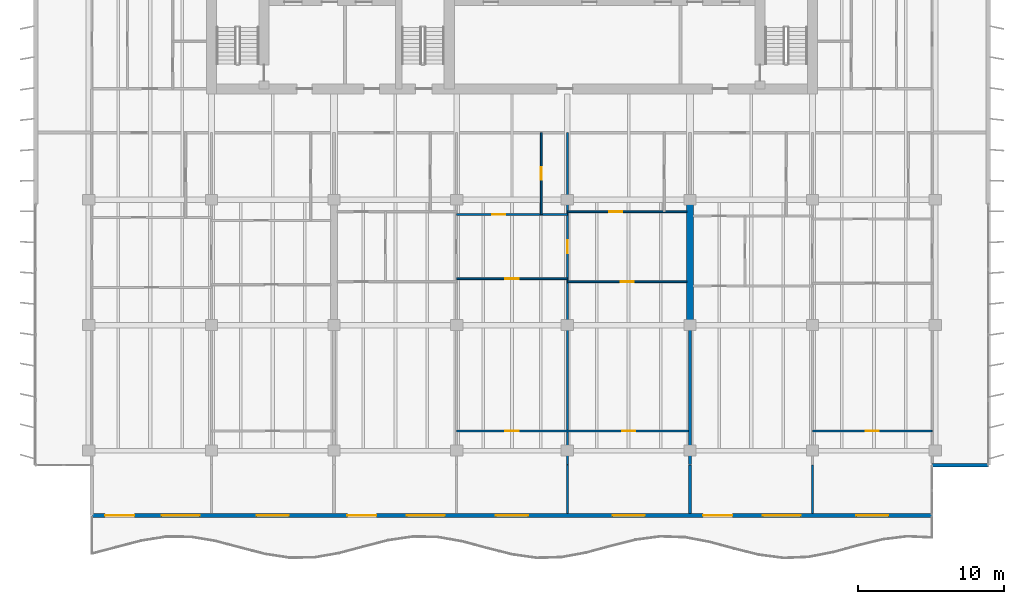
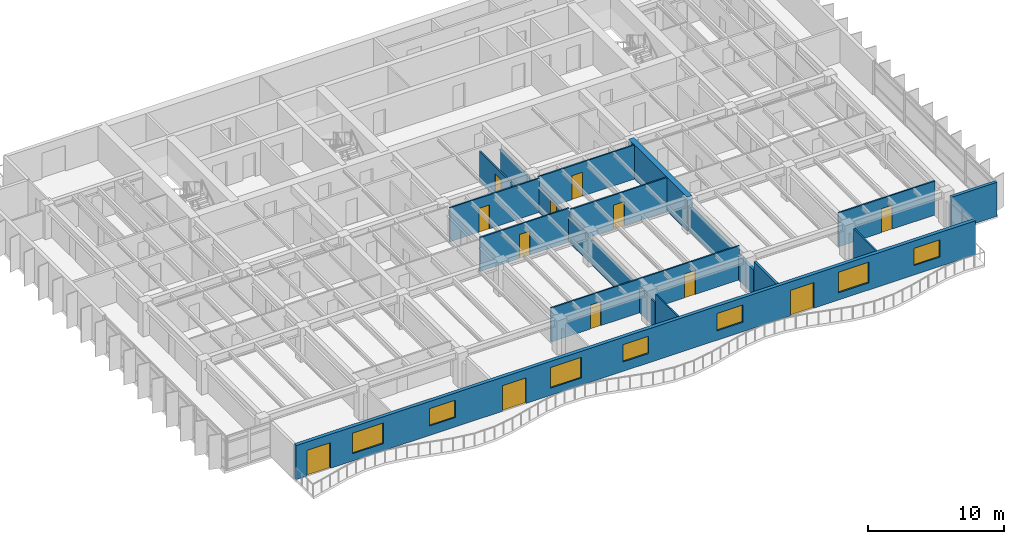
# One storey, part 9 of 17: 15 walls, 12 doors, 7 windows, 19 openings.
"""IFC4 building model written with IfcOpenShell, lengths in metres."""

from ifc_helpers import new_model, si_unit, direction, frame, frame_2d, origin, place, context, subcontext, project, spatial, rectangle, extrude, material, layer, layer_set, type_object, element, fill, save


model = new_model("IFC4")

# Units and contexts
model_context = context("Model", 3, precision=1e-05, world=origin(), true_north=direction((0.0, 1.0)))
body_context = subcontext(model_context, "Body", "Model", "MODEL_VIEW")
ifc_project = project(units=[si_unit("LENGTHUNIT", "METRE"), si_unit("AREAUNIT", "SQUARE_METRE"), si_unit("VOLUMEUNIT", "CUBIC_METRE"), si_unit("PLANEANGLEUNIT", "RADIAN"), si_unit("MASSUNIT", "GRAM", prefix="KILO")], contexts=[model_context])

# Site, building, storey
site_placement = place(None, origin())
site = spatial("IfcSite", under=ifc_project, at=site_placement, CompositionType="ELEMENT")
building_placement = place(site_placement, origin())
building = spatial("IfcBuilding", under=site, at=building_placement, Name="Caelmar Bay Residences", CompositionType="ELEMENT")
storey_placement = place(building_placement, frame((0.0, 0.0, 204.89990234375)))
storey = spatial("IfcBuildingStorey", under=building, at=storey_placement, Name="L57", CompositionType="ELEMENT", Elevation=204.89990234375)

# Walls
ifc_material_1 = material(Name="Concrete f'c 55 MPa (8,000 psi)", Category="concrete")
ifc_layer_1 = layer(ifc_material_1, 0.449951171875)
ifc_layer_set_1 = layer_set([ifc_layer_1], Name="Concrete f'c 55 MPa (8,000 psi)")
wall_type_1 = type_object("IfcWallType", Name="SW-XSLB-450", PredefinedType="SHEAR", material=ifc_layer_set_1)
wall_1_placement = place(storey_placement, frame((51.10009765625, 20.800048828125, 0.0), z_axis=(0.0, 0.0, 1.0), x_axis=(0.0, 1.0, 0.0)))
element("IfcWall", 1, at=wall_1_placement, inside=storey, type_object=wall_type_1, Name="L57 Transverse Cross-Slab Shear Wall E8", PredefinedType="SHEAR", context=body_context, shape_type="SweptSolid", body=[
    extrude(rectangle(XDim=8.599853515625, YDim=0.449951171875, at=frame_2d((4.2998046875, 0.0))), origin(), (0.0, 0.0, 1.0), 3.050048828125),
])
ifc_material_2 = material(Name="Precast concrete f'c 40 MPa (6,000 psi)", Category="concrete")
ifc_layer_2 = layer(ifc_material_2, 0.25)
ifc_layer_set_2 = layer_set([ifc_layer_2], Name="Precast concrete f'c 40 MPa (6,000 psi)")
wall_type_2 = type_object("IfcWallType", Name="W-EXT-250", PredefinedType="ELEMENTEDWALL", material=ifc_layer_set_2)
wall_2_placement = place(storey_placement, frame((67.699951171875, 11.199951171875, 0.0), z_axis=(0.0, 0.0, 1.0), x_axis=(1.0, 0.0, 0.0)))
element("IfcWall", 2, at=wall_2_placement, inside=storey, type_object=wall_type_2, Name="L57 SE Notch Return Wall", PredefinedType="ELEMENTEDWALL", context=body_context, shape_type="SweptSolid", body=[
    extrude(rectangle(XDim=3.85009765625, YDim=0.25, at=frame_2d((1.925048828125, 0.0))), origin(), (0.0, 0.0, 1.0), 3.050048828125),
])

# Wall, openings, doors, windows
ifc_layer_3 = layer(ifc_material_2, 0.300048828125)
ifc_layer_set_3 = layer_set([ifc_layer_3], Name="Precast concrete f'c 40 MPa (6,000 psi)")
wall_type_3 = type_object("IfcWallType", Name="W-EXT-300", PredefinedType="STANDARD", material=ifc_layer_set_3)
wall_3_placement = place(storey_placement, frame((67.699951171875, 7.75, 0.0), z_axis=(0.0, 0.0, 1.0), x_axis=(-1.0, 0.0, 0.0)))
wall_3 = element("IfcWall", 3, at=wall_3_placement, inside=storey, type_object=wall_type_3, Name="L57 South Bayfront Exterior Wall", PredefinedType="STANDARD", context=body_context, shape_type="SweptSolid", body=[
    extrude(rectangle(XDim=57.599853515625, YDim=0.300048828125, at=frame_2d((28.7998046875, 0.0))), origin(), (0.0, 0.0, 1.0), 3.050048828125),
])
opening_1_placement = place(wall_3_placement, frame((54.68994140625, 0.0, 0.0)))
opening_1 = element("IfcOpeningElement", 4, at=opening_1_placement, cuts=wall_3, Name="Opening L57-BD01", PredefinedType="OPENING", context=body_context, shape_type="SweptSolid", body=[
    extrude(rectangle(XDim=2.0, YDim=2.300048828125, at=frame_2d((1.0, 1.14990234375))), frame((0.0, 0.159912109375, 0.0), z_axis=(0.0, -1.0, 0.0), x_axis=(1.0, 0.0, 0.0)), (0.0, 0.0, 1.0), 0.320068359375),
])
opening_2_placement = place(wall_3_placement, frame((50.2099609375, 0.0, 0.64990234375)))
opening_2 = element("IfcOpeningElement", 5, at=opening_2_placement, cuts=wall_3, Name="Opening WN3", PredefinedType="OPENING", context=body_context, shape_type="SweptSolid", body=[
    extrude(rectangle(XDim=2.60009765625, YDim=1.85009765625, at=frame_2d((1.300048828125, 0.925048828125))), frame((0.0, 0.159912109375, 0.0), z_axis=(0.0, -1.0, 0.0), x_axis=(1.0, 0.0, 0.0)), (0.0, 0.0, 1.0), 0.320068359375),
])
opening_3_placement = place(wall_3_placement, frame((44.10009765625, 0.0, 0.85009765625)))
opening_3 = element("IfcOpeningElement", 6, at=opening_3_placement, cuts=wall_3, Name="Opening WN2", PredefinedType="OPENING", context=body_context, shape_type="SweptSolid", body=[
    extrude(rectangle(XDim=2.199951171875, YDim=1.550048828125, at=frame_2d((1.10009765625, 0.77490234375))), frame((0.0, 0.159912109375, 0.0), z_axis=(0.0, -1.0, 0.0), x_axis=(1.0, 0.0, 0.0)), (0.0, 0.0, 1.0), 0.320068359375),
])
opening_4_placement = place(wall_3_placement, frame((38.090087890625, 0.0, 0.0)))
opening_4 = element("IfcOpeningElement", 7, at=opening_4_placement, cuts=wall_3, Name="Opening L57-BD02", PredefinedType="OPENING", context=body_context, shape_type="SweptSolid", body=[
    extrude(rectangle(XDim=2.0, YDim=2.300048828125, at=frame_2d((1.0, 1.14990234375))), frame((0.0, 0.159912109375, 0.0), z_axis=(0.0, -1.0, 0.0), x_axis=(1.0, 0.0, 0.0)), (0.0, 0.0, 1.0), 0.320068359375),
])
opening_5_placement = place(wall_3_placement, frame((33.409912109375, 0.0, 0.64990234375)))
opening_5 = element("IfcOpeningElement", 8, at=opening_5_placement, cuts=wall_3, Name="Opening WN3", PredefinedType="OPENING", context=body_context, shape_type="SweptSolid", body=[
    extrude(rectangle(XDim=2.60009765625, YDim=1.85009765625, at=frame_2d((1.300048828125, 0.925048828125))), frame((0.0, 0.159912109375, 0.0), z_axis=(0.0, -1.0, 0.0), x_axis=(1.0, 0.0, 0.0)), (0.0, 0.0, 1.0), 0.320068359375),
])
opening_6_placement = place(wall_3_placement, frame((27.699951171875, 0.0, 0.85009765625)))
opening_6 = element("IfcOpeningElement", 9, at=opening_6_placement, cuts=wall_3, Name="Opening WN2", PredefinedType="OPENING", context=body_context, shape_type="SweptSolid", body=[
    extrude(rectangle(XDim=2.199951171875, YDim=1.550048828125, at=frame_2d((1.10009765625, 0.77490234375))), frame((0.0, 0.159912109375, 0.0), z_axis=(0.0, -1.0, 0.0), x_axis=(1.0, 0.0, 0.0)), (0.0, 0.0, 1.0), 0.320068359375),
])
opening_7_placement = place(wall_3_placement, frame((19.699951171875, 0.0, 0.85009765625)))
opening_7 = element("IfcOpeningElement", 10, at=opening_7_placement, cuts=wall_3, Name="Opening WN2", PredefinedType="OPENING", context=body_context, shape_type="SweptSolid", body=[
    extrude(rectangle(XDim=2.199951171875, YDim=1.550048828125, at=frame_2d((1.10009765625, 0.77490234375))), frame((0.0, 0.159912109375, 0.0), z_axis=(0.0, -1.0, 0.0), x_axis=(1.0, 0.0, 0.0)), (0.0, 0.0, 1.0), 0.320068359375),
])
opening_8_placement = place(wall_3_placement, frame((13.68994140625, 0.0, 0.0)))
opening_8 = element("IfcOpeningElement", 11, at=opening_8_placement, cuts=wall_3, Name="Opening L57-BD03", PredefinedType="OPENING", context=body_context, shape_type="SweptSolid", body=[
    extrude(rectangle(XDim=2.0, YDim=2.300048828125, at=frame_2d((1.0, 1.14990234375))), frame((0.0, 0.159912109375, 0.0), z_axis=(0.0, -1.0, 0.0), x_axis=(1.0, 0.0, 0.0)), (0.0, 0.0, 1.0), 0.320068359375),
])
opening_9_placement = place(wall_3_placement, frame((9.010009765625, 0.0, 0.64990234375)))
opening_9 = element("IfcOpeningElement", 12, at=opening_9_placement, cuts=wall_3, Name="Opening WN3", PredefinedType="OPENING", context=body_context, shape_type="SweptSolid", body=[
    extrude(rectangle(XDim=2.60009765625, YDim=1.85009765625, at=frame_2d((1.300048828125, 0.925048828125))), frame((0.0, 0.159912109375, 0.0), z_axis=(0.0, -1.0, 0.0), x_axis=(1.0, 0.0, 0.0)), (0.0, 0.0, 1.0), 0.320068359375),
])
opening_10_placement = place(wall_3_placement, frame((3.0, 0.0, 0.85009765625)))
opening_10 = element("IfcOpeningElement", 13, at=opening_10_placement, cuts=wall_3, Name="Opening WN2", PredefinedType="OPENING", context=body_context, shape_type="SweptSolid", body=[
    extrude(rectangle(XDim=2.199951171875, YDim=1.550048828125, at=frame_2d((1.10009765625, 0.77490234375))), frame((0.0, 0.159912109375, 0.0), z_axis=(0.0, -1.0, 0.0), x_axis=(1.0, 0.0, 0.0)), (0.0, 0.0, 1.0), 0.320068359375),
])
ifc_material_3 = material(Name="Anodised bronze thermally broken sliding glass door", Category="glass")
ifc_layer_4 = layer(ifc_material_3, 0.050048828125)
ifc_layer_set_4 = layer_set([ifc_layer_4], Name="Anodised bronze thermally broken sliding glass door")
door_type_1 = type_object("IfcDoorType", Name="D-BAL-2000", OperationType="DOUBLE_DOOR_SLIDING", PredefinedType="DOOR", material=ifc_layer_set_4)
door_1_placement = place(opening_1_placement, origin())
door_1 = element("IfcDoor", 14, at=door_1_placement, inside=storey, type_object=door_type_1, Name="L57 Residence 01 Penthouse Living Salon Balcony Door", OperationType="DOUBLE_DOOR_SLIDING", OverallHeight=2.300048828125, OverallWidth=2.0, PredefinedType="DOOR", context=body_context, shape_type="SweptSolid", body=[
    extrude(rectangle(XDim=2.0, YDim=2.300048828125, at=frame_2d((1.0, 1.14990234375))), frame((0.0, 0.02490234375, 0.0), z_axis=(0.0, -1.0, 0.0), x_axis=(1.0, 0.0, 0.0)), (0.0, 0.0, 1.0), 0.050048828125),
])
fill(opening_1, door_1)
door_2_placement = place(opening_4_placement, origin())
door_2 = element("IfcDoor", 15, at=door_2_placement, inside=storey, type_object=door_type_1, Name="L57 Residence 02 Penthouse Living Salon Balcony Door", OperationType="DOUBLE_DOOR_SLIDING", OverallHeight=2.300048828125, OverallWidth=2.0, PredefinedType="DOOR", context=body_context, shape_type="SweptSolid", body=[
    extrude(rectangle(XDim=2.0, YDim=2.300048828125, at=frame_2d((1.0, 1.14990234375))), frame((0.0, 0.02490234375, 0.0), z_axis=(0.0, -1.0, 0.0), x_axis=(1.0, 0.0, 0.0)), (0.0, 0.0, 1.0), 0.050048828125),
])
fill(opening_4, door_2)
door_3_placement = place(opening_8_placement, origin())
door_3 = element("IfcDoor", 16, at=door_3_placement, inside=storey, type_object=door_type_1, Name="L57 Residence 03 Penthouse Living Salon Balcony Door", OperationType="DOUBLE_DOOR_SLIDING", OverallHeight=2.300048828125, OverallWidth=2.0, PredefinedType="DOOR", context=body_context, shape_type="SweptSolid", body=[
    extrude(rectangle(XDim=2.0, YDim=2.300048828125, at=frame_2d((1.0, 1.14990234375))), frame((0.0, 0.02490234375, 0.0), z_axis=(0.0, -1.0, 0.0), x_axis=(1.0, 0.0, 0.0)), (0.0, 0.0, 1.0), 0.050048828125),
])
fill(opening_8, door_3)
ifc_material_4 = material(Name="Bronze aluminium frame with laminated low-E glass", Category="aluminium")
ifc_layer_5 = layer(ifc_material_4, 0.06005859375)
ifc_layer_set_5 = layer_set([ifc_layer_5], Name="Bronze aluminium frame with laminated low-E glass")
window_type_1 = type_object("IfcWindowType", Name="WIN-BR-2200", PartitioningType="SINGLE_PANEL", PredefinedType="WINDOW", material=ifc_layer_set_5)
window_1_placement = place(opening_3_placement, origin())
window_1 = element("IfcWindow", 17, at=window_1_placement, inside=storey, type_object=window_type_1, Name="L57 Residence 01 Primary Bedroom 1 Window", OverallHeight=1.550048828125, OverallWidth=2.199951171875, PartitioningType="SINGLE_PANEL", PredefinedType="WINDOW", context=body_context, shape_type="SweptSolid", body=[
    extrude(rectangle(XDim=2.199951171875, YDim=1.550048828125, at=frame_2d((1.10009765625, 0.77490234375))), frame((0.0, 0.030029296875, 0.0), z_axis=(0.0, -1.0, 0.0), x_axis=(1.0, 0.0, 0.0)), (0.0, 0.0, 1.0), 0.06005859375),
])
fill(opening_3, window_1)
window_2_placement = place(opening_6_placement, origin())
window_2 = element("IfcWindow", 18, at=window_2_placement, inside=storey, type_object=window_type_1, Name="L57 Residence 02 Primary Bedroom 1 Window", OverallHeight=1.550048828125, OverallWidth=2.199951171875, PartitioningType="SINGLE_PANEL", PredefinedType="WINDOW", context=body_context, shape_type="SweptSolid", body=[
    extrude(rectangle(XDim=2.199951171875, YDim=1.550048828125, at=frame_2d((1.10009765625, 0.77490234375))), frame((0.0, 0.030029296875, 0.0), z_axis=(0.0, -1.0, 0.0), x_axis=(1.0, 0.0, 0.0)), (0.0, 0.0, 1.0), 0.06005859375),
])
fill(opening_6, window_2)
window_3_placement = place(opening_7_placement, origin())
window_3 = element("IfcWindow", 19, at=window_3_placement, inside=storey, type_object=window_type_1, Name="L57 Residence 02 Primary Bedroom 2 Window", OverallHeight=1.550048828125, OverallWidth=2.199951171875, PartitioningType="SINGLE_PANEL", PredefinedType="WINDOW", context=body_context, shape_type="SweptSolid", body=[
    extrude(rectangle(XDim=2.199951171875, YDim=1.550048828125, at=frame_2d((1.10009765625, 0.77490234375))), frame((0.0, 0.030029296875, 0.0), z_axis=(0.0, -1.0, 0.0), x_axis=(1.0, 0.0, 0.0)), (0.0, 0.0, 1.0), 0.06005859375),
])
fill(opening_7, window_3)
window_4_placement = place(opening_10_placement, origin())
window_4 = element("IfcWindow", 20, at=window_4_placement, inside=storey, type_object=window_type_1, Name="L57 Residence 03 Primary Bedroom 1 Window", OverallHeight=1.550048828125, OverallWidth=2.199951171875, PartitioningType="SINGLE_PANEL", PredefinedType="WINDOW", context=body_context, shape_type="SweptSolid", body=[
    extrude(rectangle(XDim=2.199951171875, YDim=1.550048828125, at=frame_2d((1.10009765625, 0.77490234375))), frame((0.0, 0.030029296875, 0.0), z_axis=(0.0, -1.0, 0.0), x_axis=(1.0, 0.0, 0.0)), (0.0, 0.0, 1.0), 0.06005859375),
])
fill(opening_10, window_4)
ifc_layer_6 = layer(ifc_material_4, 0.06005859375)
ifc_layer_set_6 = layer_set([ifc_layer_6], Name="Bronze aluminium frame with laminated low-E glass")
window_type_2 = type_object("IfcWindowType", Name="WIN-LIV-2600", PartitioningType="SINGLE_PANEL", PredefinedType="WINDOW", material=ifc_layer_set_6)
window_5_placement = place(opening_2_placement, origin())
window_5 = element("IfcWindow", 21, at=window_5_placement, inside=storey, type_object=window_type_2, Name="L57 Residence 01 Penthouse Living Salon Panoramic Window", OverallHeight=1.85009765625, OverallWidth=2.60009765625, PartitioningType="SINGLE_PANEL", PredefinedType="WINDOW", context=body_context, shape_type="SweptSolid", body=[
    extrude(rectangle(XDim=2.60009765625, YDim=1.85009765625, at=frame_2d((1.300048828125, 0.925048828125))), frame((0.0, 0.030029296875, 0.0), z_axis=(0.0, -1.0, 0.0), x_axis=(1.0, 0.0, 0.0)), (0.0, 0.0, 1.0), 0.06005859375),
])
fill(opening_2, window_5)
window_6_placement = place(opening_5_placement, origin())
window_6 = element("IfcWindow", 22, at=window_6_placement, inside=storey, type_object=window_type_2, Name="L57 Residence 02 Penthouse Living Salon Panoramic Window", OverallHeight=1.85009765625, OverallWidth=2.60009765625, PartitioningType="SINGLE_PANEL", PredefinedType="WINDOW", context=body_context, shape_type="SweptSolid", body=[
    extrude(rectangle(XDim=2.60009765625, YDim=1.85009765625, at=frame_2d((1.300048828125, 0.925048828125))), frame((0.0, 0.030029296875, 0.0), z_axis=(0.0, -1.0, 0.0), x_axis=(1.0, 0.0, 0.0)), (0.0, 0.0, 1.0), 0.06005859375),
])
fill(opening_5, window_6)
window_7_placement = place(opening_9_placement, origin())
window_7 = element("IfcWindow", 23, at=window_7_placement, inside=storey, type_object=window_type_2, Name="L57 Residence 03 Penthouse Living Salon Panoramic Window", OverallHeight=1.85009765625, OverallWidth=2.60009765625, PartitioningType="SINGLE_PANEL", PredefinedType="WINDOW", context=body_context, shape_type="SweptSolid", body=[
    extrude(rectangle(XDim=2.60009765625, YDim=1.85009765625, at=frame_2d((1.300048828125, 0.925048828125))), frame((0.0, 0.030029296875, 0.0), z_axis=(0.0, -1.0, 0.0), x_axis=(1.0, 0.0, 0.0)), (0.0, 0.0, 1.0), 0.06005859375),
])
fill(opening_9, window_7)

# Wall, opening, door
ifc_material_5 = material(Name="Acoustic metal-stud gypsum partition 120 mm")
ifc_layer_7 = layer(ifc_material_5, 0.1201171875)
ifc_layer_set_7 = layer_set([ifc_layer_7], Name="Acoustic metal-stud gypsum partition 120 mm")
wall_type_4 = type_object("IfcWallType", Name="W-PRT-120", PredefinedType="PARTITIONING", material=ifc_layer_set_7)
wall_4_placement = place(storey_placement, frame((40.903076171875, 28.3798828125, 0.0), z_axis=(0.0, 0.0, 1.0), x_axis=(0.0, 1.0, 0.0)))
wall_4 = element("IfcWall", 24, at=wall_4_placement, inside=storey, type_object=wall_type_4, Name="L57 Partition Wall V024", PredefinedType="PARTITIONING", context=body_context, shape_type="SweptSolid", body=[
    extrude(rectangle(XDim=5.6201171875, YDim=0.1201171875, at=frame_2d((2.81005859375, 0.0))), origin(), (0.0, 0.0, 1.0), 2.72509765625),
])
opening_11_placement = place(wall_4_placement, frame((2.385009765625, 0.0, 0.0)))
opening_11 = element("IfcOpeningElement", 25, at=opening_11_placement, cuts=wall_4, Name="Opening D-L57-138", PredefinedType="OPENING", context=body_context, shape_type="SweptSolid", body=[
    extrude(rectangle(XDim=0.85009765625, YDim=2.10009765625, at=frame_2d((0.425048828125, 1.050048828125))), frame((0.0, 0.070068359375, 0.0), z_axis=(0.0, -1.0, 0.0), x_axis=(1.0, 0.0, 0.0)), (0.0, 0.0, 1.0), 0.14013671875),
])
ifc_material_6 = material(Name="Solid walnut timber interior door leaf and frame", Category="wood")
ifc_layer_8 = layer(ifc_material_6, 0.050048828125)
ifc_layer_set_8 = layer_set([ifc_layer_8], Name="Solid walnut timber interior door leaf and frame")
door_type_2 = type_object("IfcDoorType", Name="D-BATH-850", OperationType="NOTDEFINED", PredefinedType="DOOR", material=ifc_layer_set_8)
door_4_placement = place(opening_11_placement, origin())
door_4 = element("IfcDoor", 26, at=door_4_placement, inside=storey, type_object=door_type_2, Name="L57 Residence 02 En-Suite Bathroom 1 Door", OperationType="SINGLE_SWING_RIGHT", OverallHeight=2.10009765625, OverallWidth=0.85009765625, PredefinedType="DOOR", context=body_context, shape_type="SweptSolid", body=[
    extrude(rectangle(XDim=0.85009765625, YDim=2.10009765625, at=frame_2d((0.425048828125, 1.050048828125))), frame((0.0, 0.02490234375, 0.0), z_axis=(0.0, -1.0, 0.0), x_axis=(1.0, 0.0, 0.0)), (0.0, 0.0, 1.0), 0.050048828125),
])
fill(opening_11, door_4)

# Wall
wall_5_placement = place(storey_placement, frame((42.699951171875, 7.89501953125, 0.0), z_axis=(0.0, 0.0, 1.0), x_axis=(0.0, 1.0, 0.0)))
element("IfcWall", 27, at=wall_5_placement, inside=storey, type_object=wall_type_4, Name="L57 Partition Wall V026", PredefinedType="PARTITIONING", context=body_context, shape_type="SweptSolid", body=[
    extrude(rectangle(XDim=3.304931640625, YDim=0.1201171875, at=frame_2d((1.65234375, 0.0))), origin(), (0.0, 0.0, 1.0), 3.050048828125),
])

# Wall, opening, door
wall_6_placement = place(storey_placement, frame((42.699951171875, 11.239990234375, 0.0), z_axis=(0.0, 0.0, 1.0), x_axis=(0.0, 1.0, 0.0)))
wall_6 = element("IfcWall", 28, at=wall_6_placement, inside=storey, type_object=wall_type_4, Name="L57 Partition Wall V027", PredefinedType="PARTITIONING", context=body_context, shape_type="SweptSolid", body=[
    extrude(rectangle(XDim=22.760009765625, YDim=0.1201171875, at=frame_2d((11.3798828125, 0.0))), origin(), (0.0, 0.0, 1.0), 2.26318359375),
])
opening_12_placement = place(wall_6_placement, frame((14.489990234375, 0.0, 0.0)))
opening_12 = element("IfcOpeningElement", 29, at=opening_12_placement, cuts=wall_6, Name="Opening D-L57-141", PredefinedType="OPENING", context=body_context, shape_type="SweptSolid", body=[
    extrude(rectangle(XDim=0.89990234375, YDim=2.14990234375, at=frame_2d((0.449951171875, 1.074951171875))), frame((0.0, 0.070068359375, 0.0), z_axis=(0.0, -1.0, 0.0), x_axis=(1.0, 0.0, 0.0)), (0.0, 0.0, 1.0), 0.14013671875),
])
ifc_layer_9 = layer(ifc_material_6, 0.050048828125)
ifc_layer_set_9 = layer_set([ifc_layer_9], Name="Solid walnut timber interior door leaf and frame")
door_type_3 = type_object("IfcDoorType", Name="D-ROOM-900", OperationType="NOTDEFINED", PredefinedType="DOOR", material=ifc_layer_set_9)
door_5_placement = place(opening_12_placement, origin())
door_5 = element("IfcDoor", 30, at=door_5_placement, inside=storey, type_object=door_type_3, Name="L57 Residence 02 Reception Lounge 2 Door", OperationType="SINGLE_SWING_LEFT", OverallHeight=2.14990234375, OverallWidth=0.89990234375, PredefinedType="DOOR", context=body_context, shape_type="SweptSolid", body=[
    extrude(rectangle(XDim=0.89990234375, YDim=2.14990234375, at=frame_2d((0.449951171875, 1.074951171875))), frame((0.0, 0.02490234375, 0.0), z_axis=(0.0, -1.0, 0.0), x_axis=(1.0, 0.0, 0.0)), (0.0, 0.0, 1.0), 0.050048828125),
])
fill(opening_12, door_5)

# Wall
wall_7_placement = place(storey_placement, frame((59.5, 7.89501953125, 0.0), z_axis=(0.0, 0.0, 1.0), x_axis=(0.0, 1.0, 0.0)))
element("IfcWall", 31, at=wall_7_placement, inside=storey, type_object=wall_type_4, Name="L57 Partition Wall V041", PredefinedType="PARTITIONING", context=body_context, shape_type="SweptSolid", body=[
    extrude(rectangle(XDim=3.304931640625, YDim=0.1201171875, at=frame_2d((1.65234375, 0.0))), origin(), (0.0, 0.0, 1.0), 3.050048828125),
])

# Wall, openings, doors
wall_8_placement = place(storey_placement, frame((35.10009765625, 13.550048828125, 0.0), z_axis=(0.0, 0.0, 1.0), x_axis=(1.0, 0.0, 0.0)))
wall_8 = element("IfcWall", 32, at=wall_8_placement, inside=storey, type_object=wall_type_4, Name="L57 Partition Wall H051", PredefinedType="PARTITIONING", context=body_context, shape_type="SweptSolid", body=[
    extrude(rectangle(XDim=16.0, YDim=0.1201171875, at=frame_2d((8.0, 0.0))), origin(), (0.0, 0.0, 1.0), 3.050048828125),
])
opening_13_placement = place(wall_8_placement, frame((3.35009765625, 0.0, 0.0)))
opening_13 = element("IfcOpeningElement", 33, at=opening_13_placement, cuts=wall_8, Name="Opening D-L57-140", PredefinedType="OPENING", context=body_context, shape_type="SweptSolid", body=[
    extrude(rectangle(XDim=0.89990234375, YDim=2.14990234375, at=frame_2d((0.449951171875, 1.074951171875))), frame((0.0, 0.070068359375, 0.0), z_axis=(0.0, -1.0, 0.0), x_axis=(1.0, 0.0, 0.0)), (0.0, 0.0, 1.0), 0.14013671875),
])
opening_14_placement = place(wall_8_placement, frame((11.35009765625, 0.0, 0.0)))
opening_14 = element("IfcOpeningElement", 34, at=opening_14_placement, cuts=wall_8, Name="Opening D-L57-145", PredefinedType="OPENING", context=body_context, shape_type="SweptSolid", body=[
    extrude(rectangle(XDim=0.89990234375, YDim=2.14990234375, at=frame_2d((0.449951171875, 1.074951171875))), frame((0.0, 0.070068359375, 0.0), z_axis=(0.0, -1.0, 0.0), x_axis=(1.0, 0.0, 0.0)), (0.0, 0.0, 1.0), 0.14013671875),
])
door_6_placement = place(opening_13_placement, origin())
door_6 = element("IfcDoor", 35, at=door_6_placement, inside=storey, type_object=door_type_3, Name="L57 Residence 02 Primary Bedroom 1 Door", OperationType="SINGLE_SWING_RIGHT", OverallHeight=2.14990234375, OverallWidth=0.89990234375, PredefinedType="DOOR", context=body_context, shape_type="SweptSolid", body=[
    extrude(rectangle(XDim=0.89990234375, YDim=2.14990234375, at=frame_2d((0.449951171875, 1.074951171875))), frame((0.0, 0.02490234375, 0.0), z_axis=(0.0, -1.0, 0.0), x_axis=(1.0, 0.0, 0.0)), (0.0, 0.0, 1.0), 0.050048828125),
])
fill(opening_13, door_6)
door_7_placement = place(opening_14_placement, origin())
door_7 = element("IfcDoor", 36, at=door_7_placement, inside=storey, type_object=door_type_3, Name="L57 Residence 02 Primary Bedroom 2 Door", OperationType="SINGLE_SWING_LEFT", OverallHeight=2.14990234375, OverallWidth=0.89990234375, PredefinedType="DOOR", context=body_context, shape_type="SweptSolid", body=[
    extrude(rectangle(XDim=0.89990234375, YDim=2.14990234375, at=frame_2d((0.449951171875, 1.074951171875))), frame((0.0, 0.02490234375, 0.0), z_axis=(0.0, -1.0, 0.0), x_axis=(1.0, 0.0, 0.0)), (0.0, 0.0, 1.0), 0.050048828125),
])
fill(opening_14, door_7)

# Wall, opening, door
wall_9_placement = place(storey_placement, frame((59.5, 13.550048828125, 0.0), z_axis=(0.0, 0.0, 1.0), x_axis=(1.0, 0.0, 0.0)))
wall_9 = element("IfcWall", 37, at=wall_9_placement, inside=storey, type_object=wall_type_4, Name="L57 Partition Wall H052", PredefinedType="PARTITIONING", context=body_context, shape_type="SweptSolid", body=[
    extrude(rectangle(XDim=8.199951171875, YDim=0.1201171875, at=frame_2d((4.10009765625, 0.0))), origin(), (0.0, 0.0, 1.0), 3.050048828125),
])
opening_15_placement = place(wall_9_placement, frame((3.64990234375, 0.0, 0.0)))
opening_15 = element("IfcOpeningElement", 38, at=opening_15_placement, cuts=wall_9, Name="Opening D-L57-155", PredefinedType="OPENING", context=body_context, shape_type="SweptSolid", body=[
    extrude(rectangle(XDim=0.89990234375, YDim=2.14990234375, at=frame_2d((0.449951171875, 1.074951171875))), frame((0.0, 0.070068359375, 0.0), z_axis=(0.0, -1.0, 0.0), x_axis=(1.0, 0.0, 0.0)), (0.0, 0.0, 1.0), 0.14013671875),
])
door_8_placement = place(opening_15_placement, origin())
door_8 = element("IfcDoor", 39, at=door_8_placement, inside=storey, type_object=door_type_3, Name="L57 Residence 03 Primary Bedroom 1 Door", OperationType="SINGLE_SWING_LEFT", OverallHeight=2.14990234375, OverallWidth=0.89990234375, PredefinedType="DOOR", context=body_context, shape_type="SweptSolid", body=[
    extrude(rectangle(XDim=0.89990234375, YDim=2.14990234375, at=frame_2d((0.449951171875, 1.074951171875))), frame((0.0, 0.02490234375, 0.0), z_axis=(0.0, -1.0, 0.0), x_axis=(1.0, 0.0, 0.0)), (0.0, 0.0, 1.0), 0.050048828125),
])
fill(opening_15, door_8)

wall_10_placement = place(storey_placement, frame((42.699951171875, 23.780029296875, 0.0), z_axis=(0.0, 0.0, 1.0), x_axis=(1.0, 0.0, 0.0)))
wall_10 = element("IfcWall", 40, at=wall_10_placement, inside=storey, type_object=wall_type_4, Name="L57 Partition Wall H058", PredefinedType="PARTITIONING", context=body_context, shape_type="SweptSolid", body=[
    extrude(rectangle(XDim=8.179931640625, YDim=0.1201171875, at=frame_2d((4.08984375, 0.0))), origin(), (0.0, 0.0, 1.0), 3.050048828125),
])
opening_16_placement = place(wall_10_placement, frame((3.639892578125, 0.0, 0.0)))
opening_16 = element("IfcOpeningElement", 41, at=opening_16_placement, cuts=wall_10, Name="Opening D-L57-144", PredefinedType="OPENING", context=body_context, shape_type="SweptSolid", body=[
    extrude(rectangle(XDim=0.89990234375, YDim=2.14990234375, at=frame_2d((0.449951171875, 1.074951171875))), frame((0.0, 0.070068359375, 0.0), z_axis=(0.0, -1.0, 0.0), x_axis=(1.0, 0.0, 0.0)), (0.0, 0.0, 1.0), 0.14013671875),
])
door_9_placement = place(opening_16_placement, origin())
door_9 = element("IfcDoor", 42, at=door_9_placement, inside=storey, type_object=door_type_3, Name="L57 Residence 02 Penthouse Sitting Salon 2 Door", OperationType="SINGLE_SWING_RIGHT", OverallHeight=2.14990234375, OverallWidth=0.89990234375, PredefinedType="DOOR", context=body_context, shape_type="SweptSolid", body=[
    extrude(rectangle(XDim=0.89990234375, YDim=2.14990234375, at=frame_2d((0.449951171875, 1.074951171875))), frame((0.0, 0.02490234375, 0.0), z_axis=(0.0, -1.0, 0.0), x_axis=(1.0, 0.0, 0.0)), (0.0, 0.0, 1.0), 0.050048828125),
])
fill(opening_16, door_9)

wall_11_placement = place(storey_placement, frame((35.10498046875, 23.97998046875, 0.0), z_axis=(0.0, 0.0, 1.0), x_axis=(1.0, 0.0, 0.0)))
wall_11 = element("IfcWall", 43, at=wall_11_placement, inside=storey, type_object=wall_type_4, Name="L57 Partition Wall H059", PredefinedType="PARTITIONING", context=body_context, shape_type="SweptSolid", body=[
    extrude(rectangle(XDim=7.590087890625, YDim=0.1201171875, at=frame_2d((3.794921875, 0.0))), origin(), (0.0, 0.0, 1.0), 3.050048828125),
])
opening_17_placement = place(wall_11_placement, frame((3.344970703125, 0.0, 0.0)))
opening_17 = element("IfcOpeningElement", 44, at=opening_17_placement, cuts=wall_11, Name="Opening D-L57-139", PredefinedType="OPENING", context=body_context, shape_type="SweptSolid", body=[
    extrude(rectangle(XDim=0.89990234375, YDim=2.14990234375, at=frame_2d((0.449951171875, 1.074951171875))), frame((0.0, 0.070068359375, 0.0), z_axis=(0.0, -1.0, 0.0), x_axis=(1.0, 0.0, 0.0)), (0.0, 0.0, 1.0), 0.14013671875),
])
door_10_placement = place(opening_17_placement, origin())
door_10 = element("IfcDoor", 45, at=door_10_placement, inside=storey, type_object=door_type_3, Name="L57 Residence 02 Penthouse Sitting Salon 1 Door", OperationType="SINGLE_SWING_LEFT", OverallHeight=2.14990234375, OverallWidth=0.89990234375, PredefinedType="DOOR", context=body_context, shape_type="SweptSolid", body=[
    extrude(rectangle(XDim=0.89990234375, YDim=2.14990234375, at=frame_2d((0.449951171875, 1.074951171875))), frame((0.0, 0.02490234375, 0.0), z_axis=(0.0, -1.0, 0.0), x_axis=(1.0, 0.0, 0.0)), (0.0, 0.0, 1.0), 0.050048828125),
])
fill(opening_17, door_10)

wall_12_placement = place(storey_placement, frame((35.10009765625, 28.3798828125, 0.0), z_axis=(0.0, 0.0, 1.0), x_axis=(1.0, 0.0, 0.0)))
wall_12 = element("IfcWall", 46, at=wall_12_placement, inside=storey, type_object=wall_type_4, Name="L57 Partition Wall H064", PredefinedType="PARTITIONING", context=body_context, shape_type="SweptSolid", body=[
    extrude(rectangle(XDim=7.599853515625, YDim=0.1201171875, at=frame_2d((3.7998046875, 0.0))), origin(), (0.0, 0.0, 1.0), 3.050048828125),
])
opening_18_placement = place(wall_12_placement, frame((2.451416015625, 0.0, 0.0)))
opening_18 = element("IfcOpeningElement", 47, at=opening_18_placement, cuts=wall_12, Name="Opening D-L57-137", PredefinedType="OPENING", context=body_context, shape_type="SweptSolid", body=[
    extrude(rectangle(XDim=0.89990234375, YDim=2.14990234375, at=frame_2d((0.449951171875, 1.074951171875))), frame((0.0, 0.070068359375, 0.0), z_axis=(0.0, -1.0, 0.0), x_axis=(1.0, 0.0, 0.0)), (0.0, 0.0, 1.0), 0.14013671875),
])
door_11_placement = place(opening_18_placement, origin())
door_11 = element("IfcDoor", 48, at=door_11_placement, inside=storey, type_object=door_type_3, Name="L57 Residence 02 Private Reception Room 1 Door", OperationType="SINGLE_SWING_LEFT", OverallHeight=2.14990234375, OverallWidth=0.89990234375, PredefinedType="DOOR", context=body_context, shape_type="SweptSolid", body=[
    extrude(rectangle(XDim=0.89990234375, YDim=2.14990234375, at=frame_2d((0.449951171875, 1.074951171875))), frame((0.0, 0.02490234375, 0.0), z_axis=(0.0, -1.0, 0.0), x_axis=(1.0, 0.0, 0.0)), (0.0, 0.0, 1.0), 0.050048828125),
])
fill(opening_18, door_11)

wall_13_placement = place(storey_placement, frame((42.705078125, 28.580078125, 0.0), z_axis=(0.0, 0.0, 1.0), x_axis=(1.0, 0.0, 0.0)))
wall_13 = element("IfcWall", 49, at=wall_13_placement, inside=storey, type_object=wall_type_4, Name="L57 Partition Wall H066", PredefinedType="PARTITIONING", context=body_context, shape_type="SweptSolid", body=[
    extrude(rectangle(XDim=8.1748046875, YDim=0.1201171875, at=frame_2d((4.08740234375, 0.0))), origin(), (0.0, 0.0, 1.0), 3.050048828125),
])
opening_19_placement = place(wall_13_placement, frame((2.862060546875, 0.0, 0.0)))
opening_19 = element("IfcOpeningElement", 50, at=opening_19_placement, cuts=wall_13, Name="Opening D-L57-142", PredefinedType="OPENING", context=body_context, shape_type="SweptSolid", body=[
    extrude(rectangle(XDim=0.89990234375, YDim=2.14990234375, at=frame_2d((0.449951171875, 1.074951171875))), frame((0.0, 0.070068359375, 0.0), z_axis=(0.0, -1.0, 0.0), x_axis=(1.0, 0.0, 0.0)), (0.0, 0.0, 1.0), 0.14013671875),
])
door_12_placement = place(opening_19_placement, origin())
door_12 = element("IfcDoor", 51, at=door_12_placement, inside=storey, type_object=door_type_3, Name="L57 Residence 02 Private Reception Room 2 Door", OperationType="SINGLE_SWING_RIGHT", OverallHeight=2.14990234375, OverallWidth=0.89990234375, PredefinedType="DOOR", context=body_context, shape_type="SweptSolid", body=[
    extrude(rectangle(XDim=0.89990234375, YDim=2.14990234375, at=frame_2d((0.449951171875, 1.074951171875))), frame((0.0, 0.02490234375, 0.0), z_axis=(0.0, -1.0, 0.0), x_axis=(1.0, 0.0, 0.0)), (0.0, 0.0, 1.0), 0.050048828125),
])
fill(opening_19, door_12)

# Walls
ifc_material_7 = material(Name="Acoustic twin-stud fire-rated inter-tenancy partition 200 mm")
ifc_layer_10 = layer(ifc_material_7, 0.199951171875)
ifc_layer_set_10 = layer_set([ifc_layer_10], Name="Acoustic twin-stud fire-rated inter-tenancy partition 200 mm")
wall_type_5 = type_object("IfcWallType", Name="W-PTY-200", PredefinedType="PARTITIONING", material=ifc_layer_set_10)
wall_14_placement = place(storey_placement, frame((51.10009765625, 7.89501953125, 0.0), z_axis=(0.0, 0.0, 1.0), x_axis=(0.0, 1.0, 0.0)))
element("IfcWall", 52, at=wall_14_placement, inside=storey, type_object=wall_type_5, Name="L57 Partition Wall V034", PredefinedType="PARTITIONING", context=body_context, shape_type="SweptSolid", body=[
    extrude(rectangle(XDim=3.304931640625, YDim=0.199951171875, at=frame_2d((1.65234375, 0.0))), origin(), (0.0, 0.0, 1.0), 3.050048828125),
])
wall_15_placement = place(storey_placement, frame((51.10009765625, 11.239990234375, 0.0), z_axis=(0.0, 0.0, 1.0), x_axis=(0.0, 1.0, 0.0)))
element("IfcWall", 53, at=wall_15_placement, inside=storey, type_object=wall_type_5, Name="L57 Partition Wall V035", PredefinedType="PARTITIONING", context=body_context, shape_type="SweptSolid", body=[
    extrude(rectangle(XDim=9.554931640625, YDim=0.199951171875, at=frame_2d((4.77734375, 0.0))), origin(), (0.0, 0.0, 1.0), 2.26318359375),
])

save(model, "model.ifc")
